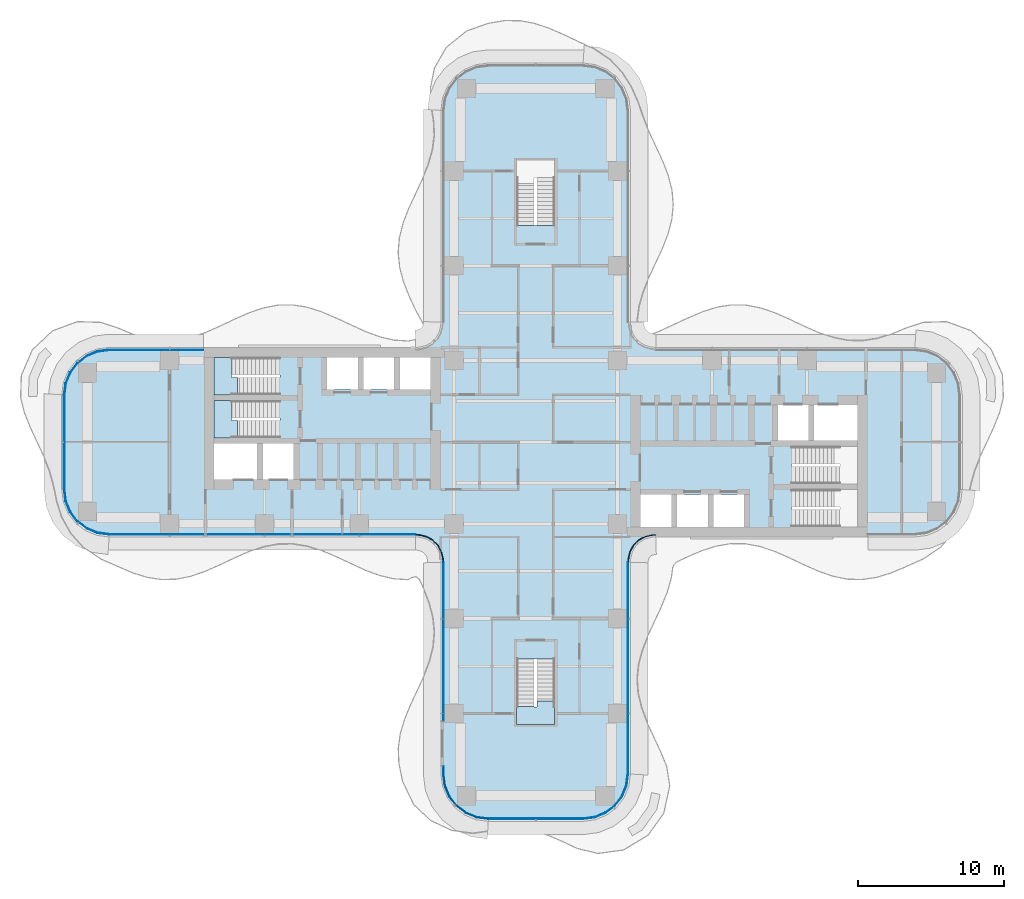
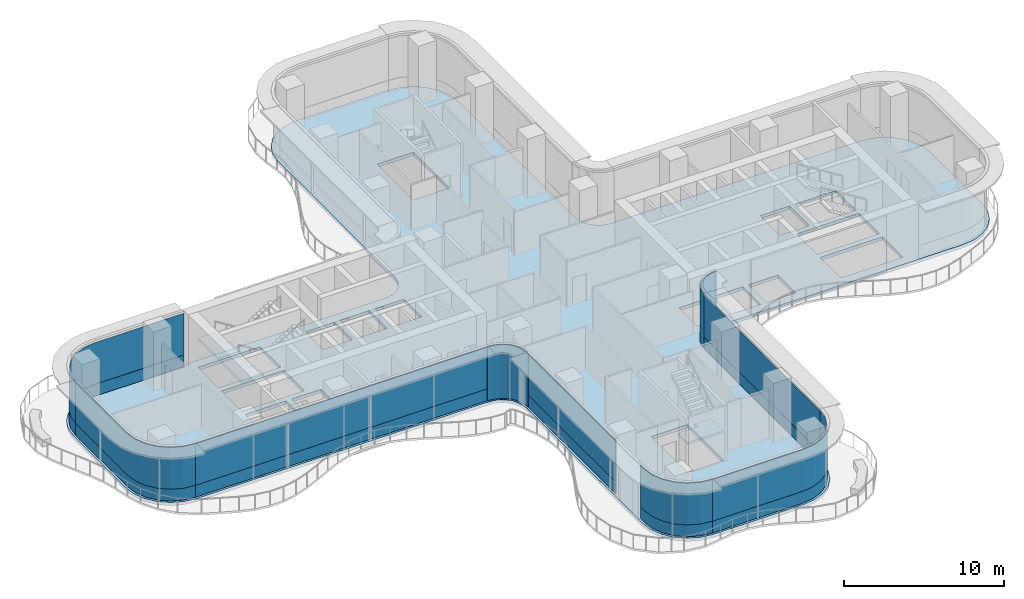
# One storey, part 12 of 20: 16 plates, 4 slabs, 12 elements without a shape of their own.
"""IFC4 building model written with IfcOpenShell, lengths in metres."""

from ifc_helpers import new_model, si_unit, direction, frame, origin, place, context, subcontext, project, spatial, polyline, outline, extrude, source, transform, mapped, material, layer, layer_set, type_object, element, aggregate, save


model = new_model("IFC4")

# Units and contexts
model_context = context("Model", 3, precision=1e-05, world=origin(), true_north=direction((0.0, 1.0)))
body_context = subcontext(model_context, "Body", "Model", "MODEL_VIEW")
ifc_project = project(units=[si_unit("LENGTHUNIT", "METRE"), si_unit("AREAUNIT", "SQUARE_METRE"), si_unit("VOLUMEUNIT", "CUBIC_METRE"), si_unit("PLANEANGLEUNIT", "RADIAN"), si_unit("MASSUNIT", "GRAM", prefix="KILO")], contexts=[model_context])

# Site, building, storey
site_placement = place(None, origin())
site = spatial("IfcSite", under=ifc_project, at=site_placement, CompositionType="ELEMENT")
building_placement = place(site_placement, origin())
building = spatial("IfcBuilding", under=site, at=building_placement, Name="Trellis Farm Tower", CompositionType="ELEMENT")
storey_placement = place(building_placement, frame((0.0, 0.0, 142.5)))
storey = spatial("IfcBuildingStorey", under=building, at=storey_placement, Name="L30", CompositionType="ELEMENT", Elevation=142.5)

# Slab
ifc_material_1 = material(Name="Concrete C40/50", Category="concrete")
ifc_layer_1 = layer(ifc_material_1, 0.25)
ifc_layer_set_1 = layer_set([ifc_layer_1], Name="Composite deck floor slab 250")
slab_type_1 = type_object("IfcSlabType", Name="Composite deck floor slab 250", PredefinedType="FLOOR", material=ifc_layer_set_1)
shared_shape_1 = source(origin(), body_context, "Body", "SweptSolid", [
    extrude(outline(polyline([(-30.09130859375, -6.389404296875), (-30.875, -6.064697265625), (-31.548095703125, -5.548095703125), (-32.064697265625, -4.875), (-32.389404296875, -4.09130859375), (-32.5, -3.25), (-32.5, 3.25), (-32.389404296875, 4.09130859375), (-32.064697265625, 4.875), (-31.548095703125, 5.548095703125), (-30.875, 6.064697265625), (-30.09130859375, 6.389404296875), (-29.25, 6.5), (-8.2314453125, 6.5), (-8.01953125, 6.513916015625), (-7.91552734375, 6.527587890625), (-7.508544921875, 6.63671875), (-7.144287109375, 6.846923828125), (-6.846923828125, 7.144287109375), (-6.63671875, 7.508544921875), (-6.527587890625, 7.91552734375), (-6.513916015625, 8.01953125), (-6.5, 8.2314453125), (-6.5, 22.75), (-6.389404296875, 23.59130859375), (-6.064697265625, 24.375), (-5.548095703125, 25.048095703125), (-4.875, 25.564697265625), (-4.09130859375, 25.889404296875), (-3.25, 26.0), (3.25, 26.0), (4.09130859375, 25.889404296875), (4.875, 25.564697265625), (5.548095703125, 25.048095703125), (6.064697265625, 24.375), (6.389404296875, 23.59130859375), (6.5, 22.75), (6.5, 8.2314453125), (6.513916015625, 8.01953125), (6.527587890625, 7.91552734375), (6.63671875, 7.508544921875), (6.846923828125, 7.144287109375), (7.144287109375, 6.846923828125), (7.508544921875, 6.63671875), (7.91552734375, 6.527587890625), (8.01953125, 6.513916015625), (8.2314453125, 6.5), (26.0, 6.5), (26.84130859375, 6.389404296875), (27.625, 6.064697265625), (28.298095703125, 5.548095703125), (28.814697265625, 4.875), (29.139404296875, 4.09130859375), (29.25, 3.25), (29.25, -3.25), (29.139404296875, -4.09130859375), (28.814697265625, -4.875), (28.298095703125, -5.548095703125), (27.625, -6.064697265625), (26.84130859375, -6.389404296875), (26.0, -6.5), (8.2314453125, -6.5), (8.01953125, -6.513916015625), (7.91552734375, -6.527587890625), (7.508544921875, -6.63671875), (7.144287109375, -6.846923828125), (6.846923828125, -7.144287109375), (6.63671875, -7.508544921875), (6.527587890625, -7.91552734375), (6.513916015625, -8.01953125), (6.5, -8.2314453125), (6.5, -22.75), (6.389404296875, -23.59130859375), (6.064697265625, -24.375), (5.548095703125, -25.048095703125), (4.875, -25.564697265625), (4.09130859375, -25.889404296875), (3.25, -26.0), (-3.25, -26.0), (-4.09130859375, -25.889404296875), (-4.875, -25.564697265625), (-5.548095703125, -25.048095703125), (-6.064697265625, -24.375), (-6.389404296875, -23.59130859375), (-6.5, -22.75), (-6.5, -8.2314453125), (-6.513916015625, -8.01953125), (-6.527587890625, -7.91552734375), (-6.63671875, -7.508544921875), (-6.846923828125, -7.144287109375), (-7.144287109375, -6.846923828125), (-7.508544921875, -6.63671875), (-7.91552734375, -6.527587890625), (-8.01953125, -6.513916015625), (-8.2314453125, -6.5), (-29.25, -6.5), (-30.09130859375, -6.389404296875)]), holes=[polyline([(-22.050048828125, -0.10009765625), (-22.050048828125, -2.550048828125), (-19.10009765625, -2.550048828125), (-19.10009765625, -0.10009765625), (-22.050048828125, -0.10009765625)]), polyline([(-18.699951171875, -0.10009765625), (-18.699951171875, -2.550048828125), (-16.60009765625, -2.550048828125), (-16.60009765625, -0.10009765625), (-18.699951171875, -0.10009765625)]), polyline([(-17.56201171875, 1.64990234375), (-17.56201171875, 2.85009765625), (-22.050048828125, 2.85009765625), (-22.050048828125, 0.300048828125), (-17.56005859375, 0.300048828125), (-17.56005859375, 1.5), (-17.550048828125, 1.5), (-17.550048828125, 1.64990234375), (-17.56201171875, 1.64990234375)]), polyline([(-17.56201171875, 4.60009765625), (-17.56201171875, 5.800048828125), (-22.050048828125, 5.800048828125), (-22.050048828125, 3.25), (-17.56005859375, 3.25), (-17.56005859375, 4.449951171875), (-17.550048828125, 4.449951171875), (-17.550048828125, 4.60009765625), (-17.56201171875, 4.60009765625)]), polyline([(-14.300048828125, 5.800048828125), (-14.300048828125, 3.60009765625), (-12.199951171875, 3.60009765625), (-12.199951171875, 5.800048828125), (-14.300048828125, 5.800048828125)]), polyline([(-11.800048828125, 5.800048828125), (-11.800048828125, 3.60009765625), (-9.699951171875, 3.60009765625), (-9.699951171875, 5.800048828125), (-11.800048828125, 5.800048828125)]), polyline([(-9.300048828125, 5.800048828125), (-9.300048828125, 3.60009765625), (-7.199951171875, 3.60009765625), (-7.199951171875, 5.800048828125), (-9.300048828125, 5.800048828125)]), polyline([(0.10009765625, 14.862060546875), (1.300048828125, 14.862060546875), (1.300048828125, 19.35009765625), (-1.300048828125, 19.35009765625), (-1.300048828125, 14.860107421875), (-0.10009765625, 14.860107421875), (-0.10009765625, 14.85009765625), (0.10009765625, 14.85009765625), (0.10009765625, 14.862060546875)]), polyline([(-0.10009765625, -14.862060546875), (-1.300048828125, -14.862060546875), (-1.300048828125, -19.35009765625), (1.300048828125, -19.35009765625), (1.300048828125, -14.860107421875), (0.10009765625, -14.860107421875), (0.10009765625, -14.85009765625), (-0.10009765625, -14.85009765625), (-0.10009765625, -14.862060546875)]), polyline([(9.300048828125, -5.800048828125), (9.300048828125, -3.60009765625), (7.199951171875, -3.60009765625), (7.199951171875, -5.800048828125), (9.300048828125, -5.800048828125)]), polyline([(11.800048828125, -5.800048828125), (11.800048828125, -3.60009765625), (9.699951171875, -3.60009765625), (9.699951171875, -5.800048828125), (11.800048828125, -5.800048828125)]), polyline([(14.300048828125, -5.800048828125), (14.300048828125, -3.60009765625), (12.199951171875, -3.60009765625), (12.199951171875, -5.800048828125), (14.300048828125, -5.800048828125)]), polyline([(17.56201171875, -4.60009765625), (17.56201171875, -5.800048828125), (22.050048828125, -5.800048828125), (22.050048828125, -3.25), (17.56005859375, -3.25), (17.56005859375, -4.449951171875), (17.550048828125, -4.449951171875), (17.550048828125, -4.60009765625), (17.56201171875, -4.60009765625)]), polyline([(17.56201171875, -1.64990234375), (17.56201171875, -2.85009765625), (22.050048828125, -2.85009765625), (22.050048828125, -0.300048828125), (17.56005859375, -0.300048828125), (17.56005859375, -1.5), (17.550048828125, -1.5), (17.550048828125, -1.64990234375), (17.56201171875, -1.64990234375)]), polyline([(18.699951171875, 0.10009765625), (18.699951171875, 2.550048828125), (16.60009765625, 2.550048828125), (16.60009765625, 0.10009765625), (18.699951171875, 0.10009765625)]), polyline([(22.050048828125, 0.10009765625), (22.050048828125, 2.550048828125), (19.10009765625, 2.550048828125), (19.10009765625, 0.10009765625), (22.050048828125, 0.10009765625)])]), origin(), (0.0, 0.0, 1.0), 0.25),
])
slab_1_placement = place(storey_placement, frame((0.0, 0.0, -0.25)))
element("IfcSlab", 1, at=slab_1_placement, inside=storey, type_object=slab_type_1, Name="Floor slab", PredefinedType="FLOOR", context=body_context, shape_type="MappedRepresentation", body=[
    mapped(shared_shape_1, transform((0.0, 0.0, 0.0))),
])

# Stair, slab
ifc_material_2 = material(Name="Concrete C50/60", Category="concrete")
stair_type = type_object("IfcStairType", Name="CORE EXIT STAIR 26 RISERS 173 MM", PredefinedType="HALF_TURN_STAIR", material=ifc_material_2)
placement_1 = place(storey_placement, origin())
stair_1 = element("IfcStair", 2, at=placement_1, inside=storey, type_object=stair_type, Name="Exit stair S", PredefinedType="HALF_TURN_STAIR")
ifc_layer_2 = layer(ifc_material_2, 0.18994140625)
ifc_layer_set_2 = layer_set([ifc_layer_2], Name="CORE STAIR LANDING 190 CONCRETE C50/60")
slab_type_2 = type_object("IfcSlabType", Name="CORE STAIR LANDING 190 CONCRETE C50/60", PredefinedType="LANDING", material=ifc_layer_set_2)
shared_shape_2 = source(origin(), body_context, "Body", "SweptSolid", [
    extrude(outline(polyline([(1.300048828125, -19.35009765625), (-1.300048828125, -19.35009765625), (-1.300048828125, -18.14990234375), (-1.300048828125, -18.139892578125), (-0.10009765625, -18.139892578125), (-0.10009765625, -18.14990234375), (0.10009765625, -18.14990234375), (0.10009765625, -17.753173828125), (1.300048828125, -17.753173828125), (1.300048828125, -18.14990234375), (1.300048828125, -19.35009765625)])), origin(), (0.0, 0.0, 1.0), 0.18994140625),
])
placement_2 = place(storey_placement, frame((0.0, 0.0, 2.06005859375)))
slab_2 = element("IfcSlab", 3, at=placement_2, type_object=slab_type_2, Name="STS landing 1", PredefinedType="LANDING", context=body_context, shape_type="MappedRepresentation", body=[
    mapped(shared_shape_2, transform((0.0, 0.0, 0.0))),
])
aggregate(stair_1, [slab_2])

stair_2 = element("IfcStair", 4, at=placement_1, inside=storey, type_object=stair_type, Name="Exit stair W1", PredefinedType="HALF_TURN_STAIR")
shared_shape_3 = source(origin(), body_context, "Body", "SweptSolid", [
    extrude(outline(polyline([(-20.453125, 4.449951171875), (-20.453125, 3.25), (-20.85009765625, 3.25), (-22.050048828125, 3.25), (-22.050048828125, 5.800048828125), (-20.85009765625, 5.800048828125), (-20.840087890625, 5.800048828125), (-20.840087890625, 4.60009765625), (-20.85009765625, 4.60009765625), (-20.85009765625, 4.449951171875), (-20.453125, 4.449951171875)])), origin(), (0.0, 0.0, 1.0), 0.18994140625),
])
slab_3 = element("IfcSlab", 5, at=placement_2, type_object=slab_type_2, Name="STW1 landing 1", PredefinedType="LANDING", context=body_context, shape_type="MappedRepresentation", body=[
    mapped(shared_shape_3, transform((0.0, 0.0, 0.0))),
])
aggregate(stair_2, [slab_3])

stair_3 = element("IfcStair", 6, at=placement_1, inside=storey, type_object=stair_type, Name="Exit stair W2", PredefinedType="HALF_TURN_STAIR")
shared_shape_4 = source(origin(), body_context, "Body", "SweptSolid", [
    extrude(outline(polyline([(-20.453125, 1.5), (-20.453125, 0.300048828125), (-20.85009765625, 0.300048828125), (-22.050048828125, 0.300048828125), (-22.050048828125, 2.85009765625), (-20.85009765625, 2.85009765625), (-20.840087890625, 2.85009765625), (-20.840087890625, 1.64990234375), (-20.85009765625, 1.64990234375), (-20.85009765625, 1.5), (-20.453125, 1.5)])), origin(), (0.0, 0.0, 1.0), 0.18994140625),
])
slab_4 = element("IfcSlab", 7, at=placement_2, type_object=slab_type_2, Name="STW2 landing 1", PredefinedType="LANDING", context=body_context, shape_type="MappedRepresentation", body=[
    mapped(shared_shape_4, transform((0.0, 0.0, 0.0))),
])
aggregate(stair_3, [slab_4])

# Curtain wall, plates
ifc_material_3 = material(Name="Aluminium and glass curtain wall", Category="aluminium")
ifc_layer_3 = layer(ifc_material_3, 0.18994140625)
ifc_layer_set_3 = layer_set([ifc_layer_3], Name="RIBBON CURTAIN WALL CW1")
curtain_wall_type_1 = type_object("IfcCurtainWallType", Name="RIBBON CURTAIN WALL CW1", PredefinedType="NOTDEFINED", material=ifc_layer_set_3)
curtain_wall_1 = element("IfcCurtainWall", 8, at=placement_1, inside=storey, type_object=curtain_wall_type_1, Name="CW1 001", PredefinedType="NOTDEFINED")
ifc_material_4 = material(Name="Clear insulated glass", Category="glass")
ifc_layer_4 = layer(ifc_material_4, 0.0400390625)
ifc_layer_set_4 = layer_set([ifc_layer_4], Name="CW1 GLASS PANEL 40")
plate_type_1 = type_object("IfcPlateType", Name="CW1 GLASS PANEL 40", PredefinedType="CURTAIN_PANEL", material=ifc_layer_set_4)
shared_shape_5 = source(origin(), body_context, "Body", "SweptSolid", [
    extrude(outline(polyline([(-29.240234375, -6.35009765625), (-8.2265625, -6.35009765625), (-8.22509765625, -6.31005859375), (-29.237548828125, -6.31005859375), (-29.240234375, -6.35009765625)])), origin(), (0.0, 0.0, 1.0), 3.170166015625),
])
placement_3 = place(storey_placement, frame((0.0, 0.0, 0.89990234375)))
plate_1 = element("IfcPlate", 9, at=placement_3, type_object=plate_type_1, Name="PL1 001", PredefinedType="CURTAIN_PANEL", context=body_context, shape_type="MappedRepresentation", body=[
    mapped(shared_shape_5, transform((0.0, 0.0, 0.0))),
])
ifc_material_5 = material(Name="Sandstone faced insulated panel", Category="masonry")
ifc_layer_5 = layer(ifc_material_5, 0.050048828125)
ifc_layer_set_5 = layer_set([ifc_layer_5], Name="CW1 STONE SPANDREL PANEL 50")
plate_type_2 = type_object("IfcPlateType", Name="CW1 STONE SPANDREL PANEL 50", PredefinedType="CURTAIN_PANEL", material=ifc_layer_set_5)
shared_shape_6 = source(origin(), body_context, "Body", "SweptSolid", [
    extrude(outline(polyline([(-29.240234375, -6.35009765625), (-8.2265625, -6.35009765625), (-8.224853515625, -6.300048828125), (-29.23681640625, -6.300048828125), (-29.240234375, -6.35009765625)])), origin(), (0.0, 0.0, 1.0), 0.89990234375),
])
plate_2 = element("IfcPlate", 10, at=placement_1, type_object=plate_type_2, Name="PS1 001", PredefinedType="CURTAIN_PANEL", context=body_context, shape_type="MappedRepresentation", body=[
    mapped(shared_shape_6, transform((0.0, 0.0, 0.0))),
])
aggregate(curtain_wall_1, [plate_1, plate_2])

# Curtain wall, plate
ifc_layer_6 = layer(ifc_material_3, 0.166015625)
ifc_layer_set_6 = layer_set([ifc_layer_6], Name="WINTER GARDEN CURTAIN WALL CW3")
curtain_wall_type_2 = type_object("IfcCurtainWallType", Name="WINTER GARDEN CURTAIN WALL CW3", PredefinedType="NOTDEFINED", material=ifc_layer_set_6)
curtain_wall_2 = element("IfcCurtainWall", 11, at=placement_1, inside=storey, type_object=curtain_wall_type_2, Name="CW3 001", PredefinedType="NOTDEFINED")
ifc_layer_7 = layer(ifc_material_4, 0.0458984375)
ifc_layer_set_7 = layer_set([ifc_layer_7], Name="CW3 GLASS PANEL 46")
plate_type_3 = type_object("IfcPlateType", Name="CW3 GLASS PANEL 46", PredefinedType="CURTAIN_PANEL", material=ifc_layer_set_7)
shared_shape_7 = source(origin(), body_context, "Body", "SweptSolid", [
    extrude(outline(polyline([(-8.2275390625, -6.3798828125), (-8.0078125, -6.394287109375), (-7.89208984375, -6.40966796875), (-7.462158203125, -6.52490234375), (-7.070556640625, -6.7509765625), (-6.7509765625, -7.070556640625), (-6.52490234375, -7.462158203125), (-6.40966796875, -7.89208984375), (-6.394287109375, -8.0078125), (-6.3798828125, -8.2275390625), (-6.333984375, -8.22607421875), (-6.3486328125, -8.003173828125), (-6.364501953125, -7.883056640625), (-6.48193359375, -7.4443359375), (-6.714111328125, -7.04248046875), (-7.04248046875, -6.714111328125), (-7.4443359375, -6.48193359375), (-7.883056640625, -6.364501953125), (-8.003173828125, -6.3486328125), (-8.22607421875, -6.333984375), (-8.2275390625, -6.3798828125)])), origin(), (0.0, 0.0, 1.0), 4.10009765625),
])
plate_3 = element("IfcPlate", 12, at=placement_1, type_object=plate_type_3, Name="PL3 001", PredefinedType="CURTAIN_PANEL", context=body_context, shape_type="MappedRepresentation", body=[
    mapped(shared_shape_7, transform((0.0, 0.0, 0.0))),
])
aggregate(curtain_wall_2, [plate_3])

curtain_wall_3 = element("IfcCurtainWall", 13, at=placement_1, inside=storey, type_object=curtain_wall_type_2, Name="CW3 002", PredefinedType="NOTDEFINED")
shared_shape_8 = source(origin(), body_context, "Body", "SweptSolid", [
    extrude(outline(polyline([(6.3798828125, -8.2275390625), (6.394287109375, -8.0078125), (6.40966796875, -7.89208984375), (6.52490234375, -7.462158203125), (6.7509765625, -7.070556640625), (7.070556640625, -6.7509765625), (7.462158203125, -6.52490234375), (7.89208984375, -6.40966796875), (8.0078125, -6.394287109375), (8.2275390625, -6.3798828125), (8.22607421875, -6.333984375), (8.003173828125, -6.3486328125), (7.883056640625, -6.364501953125), (7.4443359375, -6.48193359375), (7.04248046875, -6.714111328125), (6.714111328125, -7.04248046875), (6.48193359375, -7.4443359375), (6.364501953125, -7.883056640625), (6.3486328125, -8.003173828125), (6.333984375, -8.22607421875), (6.3798828125, -8.2275390625)])), origin(), (0.0, 0.0, 1.0), 4.10009765625),
])
plate_4 = element("IfcPlate", 14, at=placement_1, type_object=plate_type_3, Name="PL3 002", PredefinedType="CURTAIN_PANEL", context=body_context, shape_type="MappedRepresentation", body=[
    mapped(shared_shape_8, transform((0.0, 0.0, 0.0))),
])
aggregate(curtain_wall_3, [plate_4])

# Curtain wall, plates
curtain_wall_4 = element("IfcCurtainWall", 15, at=placement_1, inside=storey, type_object=curtain_wall_type_1, Name="CW1 012", PredefinedType="NOTDEFINED")
shared_shape_9 = source(origin(), body_context, "Body", "SweptSolid", [
    extrude(outline(polyline([(-22.780029296875, 6.35009765625), (-29.240234375, 6.35009765625), (-30.052001953125, 6.2431640625), (-30.79931640625, 5.93359375), (-31.441162109375, 5.441162109375), (-31.93359375, 4.79931640625), (-32.2431640625, 4.052001953125), (-32.35009765625, 3.240234375), (-32.31005859375, 3.237548828125), (-32.2041015625, 4.04150390625), (-31.898681640625, 4.779296875), (-31.41259765625, 5.41259765625), (-30.779296875, 5.898681640625), (-30.04150390625, 6.2041015625), (-29.237548828125, 6.31005859375), (-22.780029296875, 6.31005859375), (-22.780029296875, 6.35009765625)])), origin(), (0.0, 0.0, 1.0), 3.170166015625),
])
plate_5 = element("IfcPlate", 16, at=placement_3, type_object=plate_type_1, Name="PL1 012", PredefinedType="CURTAIN_PANEL", context=body_context, shape_type="MappedRepresentation", body=[
    mapped(shared_shape_9, transform((0.0, 0.0, 0.0))),
])
shared_shape_10 = source(origin(), body_context, "Body", "SweptSolid", [
    extrude(outline(polyline([(-22.780029296875, 6.35009765625), (-29.240234375, 6.35009765625), (-30.052001953125, 6.2431640625), (-30.79931640625, 5.93359375), (-31.441162109375, 5.441162109375), (-31.93359375, 4.79931640625), (-32.2431640625, 4.052001953125), (-32.35009765625, 3.240234375), (-32.300048828125, 3.23681640625), (-32.1943359375, 4.0390625), (-31.889892578125, 4.774169921875), (-31.405517578125, 5.405517578125), (-30.774169921875, 5.889892578125), (-30.0390625, 6.1943359375), (-29.23681640625, 6.300048828125), (-22.780029296875, 6.300048828125), (-22.780029296875, 6.35009765625)])), origin(), (0.0, 0.0, 1.0), 0.89990234375),
])
plate_6 = element("IfcPlate", 17, at=placement_1, type_object=plate_type_2, Name="PS1 012", PredefinedType="CURTAIN_PANEL", context=body_context, shape_type="MappedRepresentation", body=[
    mapped(shared_shape_10, transform((0.0, 0.0, 0.0))),
])
aggregate(curtain_wall_4, [plate_5, plate_6])

curtain_wall_5 = element("IfcCurtainWall", 18, at=placement_1, inside=storey, type_object=curtain_wall_type_1, Name="CW1 013", PredefinedType="NOTDEFINED")
shared_shape_11 = source(origin(), body_context, "Body", "SweptSolid", [
    extrude(outline(polyline([(-32.35009765625, 3.240234375), (-32.35009765625, -3.240234375), (-32.2431640625, -4.052001953125), (-31.93359375, -4.79931640625), (-31.441162109375, -5.441162109375), (-30.79931640625, -5.93359375), (-30.052001953125, -6.2431640625), (-29.240234375, -6.35009765625), (-29.237548828125, -6.31005859375), (-30.04150390625, -6.2041015625), (-30.779296875, -5.898681640625), (-31.41259765625, -5.41259765625), (-31.898681640625, -4.779296875), (-32.2041015625, -4.04150390625), (-32.31005859375, -3.237548828125), (-32.31005859375, 3.237548828125), (-32.35009765625, 3.240234375)])), origin(), (0.0, 0.0, 1.0), 3.170166015625),
])
plate_7 = element("IfcPlate", 19, at=placement_3, type_object=plate_type_1, Name="PL1 013", PredefinedType="CURTAIN_PANEL", context=body_context, shape_type="MappedRepresentation", body=[
    mapped(shared_shape_11, transform((0.0, 0.0, 0.0))),
])
shared_shape_12 = source(origin(), body_context, "Body", "SweptSolid", [
    extrude(outline(polyline([(-32.35009765625, 3.240234375), (-32.35009765625, -3.240234375), (-32.2431640625, -4.052001953125), (-31.93359375, -4.79931640625), (-31.441162109375, -5.441162109375), (-30.79931640625, -5.93359375), (-30.052001953125, -6.2431640625), (-29.240234375, -6.35009765625), (-29.23681640625, -6.300048828125), (-30.0390625, -6.1943359375), (-30.774169921875, -5.889892578125), (-31.405517578125, -5.405517578125), (-31.889892578125, -4.774169921875), (-32.1943359375, -4.0390625), (-32.300048828125, -3.23681640625), (-32.300048828125, 3.23681640625), (-32.35009765625, 3.240234375)])), origin(), (0.0, 0.0, 1.0), 0.89990234375),
])
plate_8 = element("IfcPlate", 20, at=placement_1, type_object=plate_type_2, Name="PS1 013", PredefinedType="CURTAIN_PANEL", context=body_context, shape_type="MappedRepresentation", body=[
    mapped(shared_shape_12, transform((0.0, 0.0, 0.0))),
])
aggregate(curtain_wall_5, [plate_7, plate_8])

curtain_wall_6 = element("IfcCurtainWall", 21, at=placement_1, inside=storey, type_object=curtain_wall_type_1, Name="CW1 005", PredefinedType="NOTDEFINED")
shared_shape_13 = source(origin(), body_context, "Body", "SweptSolid", [
    extrude(outline(polyline([(6.35009765625, -22.740234375), (6.35009765625, -8.2265625), (6.31005859375, -8.22509765625), (6.31005859375, -22.737548828125), (6.35009765625, -22.740234375)])), origin(), (0.0, 0.0, 1.0), 3.170166015625),
])
plate_9 = element("IfcPlate", 22, at=placement_3, type_object=plate_type_1, Name="PL1 005", PredefinedType="CURTAIN_PANEL", context=body_context, shape_type="MappedRepresentation", body=[
    mapped(shared_shape_13, transform((0.0, 0.0, 0.0))),
])
shared_shape_14 = source(origin(), body_context, "Body", "SweptSolid", [
    extrude(outline(polyline([(6.35009765625, -22.740234375), (6.35009765625, -8.2265625), (6.300048828125, -8.224853515625), (6.300048828125, -22.73681640625), (6.35009765625, -22.740234375)])), origin(), (0.0, 0.0, 1.0), 0.89990234375),
])
plate_10 = element("IfcPlate", 23, at=placement_1, type_object=plate_type_2, Name="PS1 005", PredefinedType="CURTAIN_PANEL", context=body_context, shape_type="MappedRepresentation", body=[
    mapped(shared_shape_14, transform((0.0, 0.0, 0.0))),
])
aggregate(curtain_wall_6, [plate_9, plate_10])

curtain_wall_7 = element("IfcCurtainWall", 24, at=placement_1, inside=storey, type_object=curtain_wall_type_1, Name="CW1 004", PredefinedType="NOTDEFINED")
shared_shape_15 = source(origin(), body_context, "Body", "SweptSolid", [
    extrude(outline(polyline([(-3.240234375, -25.85009765625), (3.240234375, -25.85009765625), (4.052001953125, -25.7431640625), (4.79931640625, -25.43359375), (5.441162109375, -24.941162109375), (5.93359375, -24.29931640625), (6.2431640625, -23.552001953125), (6.35009765625, -22.740234375), (6.31005859375, -22.737548828125), (6.2041015625, -23.54150390625), (5.898681640625, -24.279296875), (5.41259765625, -24.91259765625), (4.779296875, -25.398681640625), (4.04150390625, -25.7041015625), (3.237548828125, -25.81005859375), (-3.237548828125, -25.81005859375), (-3.240234375, -25.85009765625)])), origin(), (0.0, 0.0, 1.0), 3.170166015625),
])
plate_11 = element("IfcPlate", 25, at=placement_3, type_object=plate_type_1, Name="PL1 004", PredefinedType="CURTAIN_PANEL", context=body_context, shape_type="MappedRepresentation", body=[
    mapped(shared_shape_15, transform((0.0, 0.0, 0.0))),
])
shared_shape_16 = source(origin(), body_context, "Body", "SweptSolid", [
    extrude(outline(polyline([(-3.240234375, -25.85009765625), (3.240234375, -25.85009765625), (4.052001953125, -25.7431640625), (4.79931640625, -25.43359375), (5.441162109375, -24.941162109375), (5.93359375, -24.29931640625), (6.2431640625, -23.552001953125), (6.35009765625, -22.740234375), (6.300048828125, -22.73681640625), (6.1943359375, -23.5390625), (5.889892578125, -24.274169921875), (5.405517578125, -24.905517578125), (4.774169921875, -25.389892578125), (4.0390625, -25.6943359375), (3.23681640625, -25.800048828125), (-3.23681640625, -25.800048828125), (-3.240234375, -25.85009765625)])), origin(), (0.0, 0.0, 1.0), 0.89990234375),
])
plate_12 = element("IfcPlate", 26, at=placement_1, type_object=plate_type_2, Name="PS1 004", PredefinedType="CURTAIN_PANEL", context=body_context, shape_type="MappedRepresentation", body=[
    mapped(shared_shape_16, transform((0.0, 0.0, 0.0))),
])
aggregate(curtain_wall_7, [plate_11, plate_12])

curtain_wall_8 = element("IfcCurtainWall", 27, at=placement_1, inside=storey, type_object=curtain_wall_type_1, Name="CW1 002", PredefinedType="NOTDEFINED")
shared_shape_17 = source(origin(), body_context, "Body", "SweptSolid", [
    extrude(outline(polyline([(-6.35009765625, -8.2265625), (-6.35009765625, -19.114990234375), (-6.31005859375, -19.114990234375), (-6.31005859375, -8.22509765625), (-6.35009765625, -8.2265625)])), origin(), (0.0, 0.0, 1.0), 3.170166015625),
])
plate_13 = element("IfcPlate", 28, at=placement_3, type_object=plate_type_1, Name="PL1 002", PredefinedType="CURTAIN_PANEL", context=body_context, shape_type="MappedRepresentation", body=[
    mapped(shared_shape_17, transform((0.0, 0.0, 0.0))),
])
shared_shape_18 = source(origin(), body_context, "Body", "SweptSolid", [
    extrude(outline(polyline([(-6.35009765625, -8.2265625), (-6.35009765625, -19.114990234375), (-6.300048828125, -19.114990234375), (-6.300048828125, -8.224853515625), (-6.35009765625, -8.2265625)])), origin(), (0.0, 0.0, 1.0), 0.89990234375),
])
plate_14 = element("IfcPlate", 29, at=placement_1, type_object=plate_type_2, Name="PS1 002", PredefinedType="CURTAIN_PANEL", context=body_context, shape_type="MappedRepresentation", body=[
    mapped(shared_shape_18, transform((0.0, 0.0, 0.0))),
])
aggregate(curtain_wall_8, [plate_13, plate_14])

curtain_wall_9 = element("IfcCurtainWall", 30, at=placement_1, inside=storey, type_object=curtain_wall_type_1, Name="CW1 003", PredefinedType="NOTDEFINED")
shared_shape_19 = source(origin(), body_context, "Body", "SweptSolid", [
    extrude(outline(polyline([(-6.35009765625, -22.235107421875), (-6.35009765625, -22.740234375), (-6.2431640625, -23.552001953125), (-5.93359375, -24.29931640625), (-5.441162109375, -24.941162109375), (-4.79931640625, -25.43359375), (-4.052001953125, -25.7431640625), (-3.240234375, -25.85009765625), (-3.237548828125, -25.81005859375), (-4.04150390625, -25.7041015625), (-4.779296875, -25.398681640625), (-5.41259765625, -24.91259765625), (-5.898681640625, -24.279296875), (-6.2041015625, -23.54150390625), (-6.31005859375, -22.737548828125), (-6.31005859375, -22.235107421875), (-6.35009765625, -22.235107421875)])), origin(), (0.0, 0.0, 1.0), 3.170166015625),
])
plate_15 = element("IfcPlate", 31, at=placement_3, type_object=plate_type_1, Name="PL1 003", PredefinedType="CURTAIN_PANEL", context=body_context, shape_type="MappedRepresentation", body=[
    mapped(shared_shape_19, transform((0.0, 0.0, 0.0))),
])
shared_shape_20 = source(origin(), body_context, "Body", "SweptSolid", [
    extrude(outline(polyline([(-6.35009765625, -22.235107421875), (-6.35009765625, -22.740234375), (-6.2431640625, -23.552001953125), (-5.93359375, -24.29931640625), (-5.441162109375, -24.941162109375), (-4.79931640625, -25.43359375), (-4.052001953125, -25.7431640625), (-3.240234375, -25.85009765625), (-3.23681640625, -25.800048828125), (-4.0390625, -25.6943359375), (-4.774169921875, -25.389892578125), (-5.405517578125, -24.905517578125), (-5.889892578125, -24.274169921875), (-6.1943359375, -23.5390625), (-6.300048828125, -22.73681640625), (-6.300048828125, -22.235107421875), (-6.35009765625, -22.235107421875)])), origin(), (0.0, 0.0, 1.0), 0.89990234375),
])
plate_16 = element("IfcPlate", 32, at=placement_1, type_object=plate_type_2, Name="PS1 003", PredefinedType="CURTAIN_PANEL", context=body_context, shape_type="MappedRepresentation", body=[
    mapped(shared_shape_20, transform((0.0, 0.0, 0.0))),
])
aggregate(curtain_wall_9, [plate_15, plate_16])

save(model, "model.ifc")
